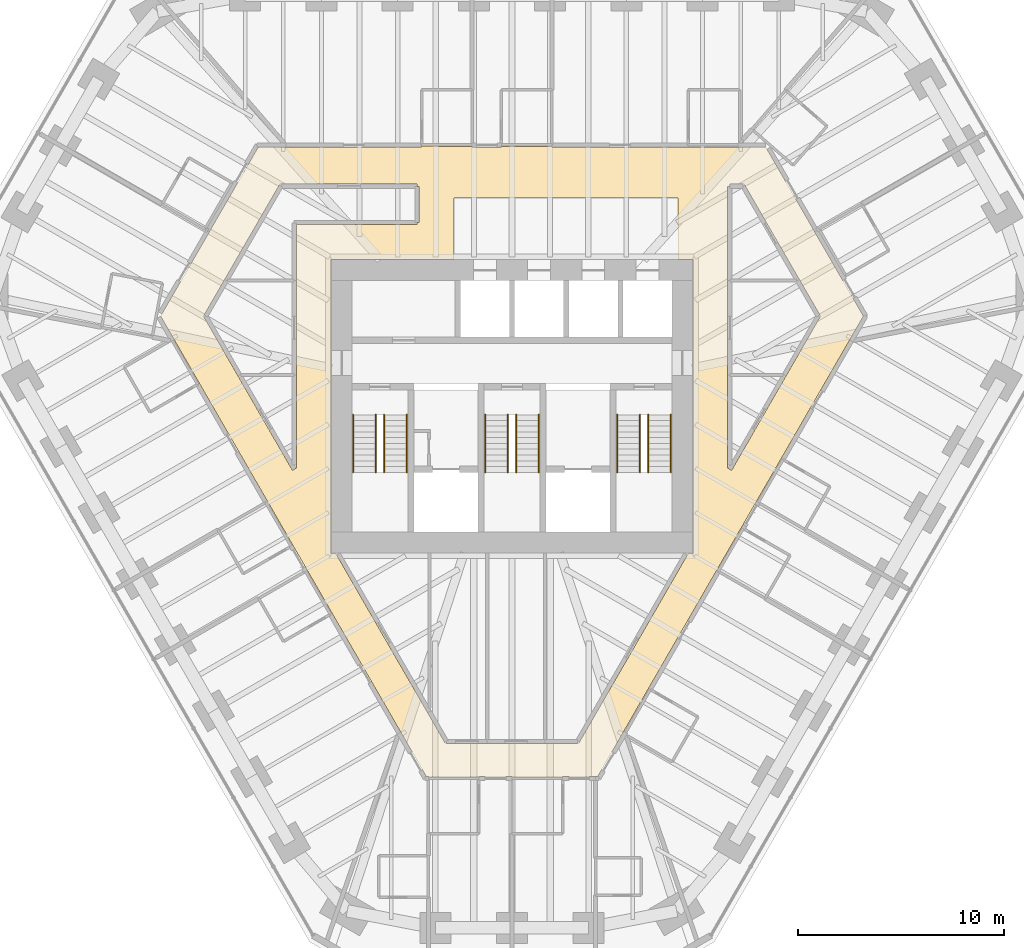
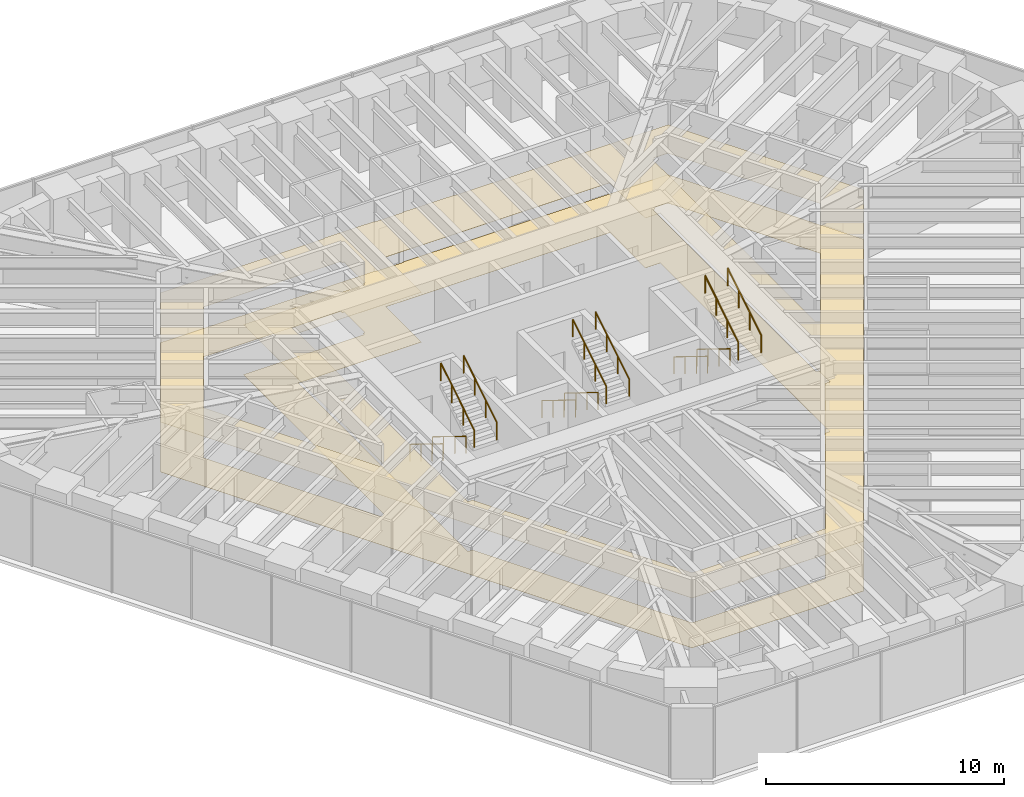
# One storey, part 16 of 16: 12 railings, 2 coverings.
"""IFC4 building model written with IfcOpenShell, lengths in metres."""

from ifc_helpers import new_model, si_unit, direction, frame, origin, origin_2d, place, context, subcontext, project, spatial, polyline, circle, outline, extrude, material, layer, layer_set, type_object, element, save


model = new_model("IFC4")

# Units and contexts
model_context = context("Model", 3, precision=1e-05, world=origin(), true_north=direction((0.0, 1.0)))
body_context = subcontext(model_context, "Body", "Model", "MODEL_VIEW")
ifc_project = project(units=[si_unit("LENGTHUNIT", "METRE"), si_unit("AREAUNIT", "SQUARE_METRE"), si_unit("VOLUMEUNIT", "CUBIC_METRE"), si_unit("PLANEANGLEUNIT", "RADIAN"), si_unit("MASSUNIT", "GRAM", prefix="KILO")], contexts=[model_context])

# Site, building, storey
site_placement = place(None, origin())
site = spatial("IfcSite", under=ifc_project, at=site_placement, CompositionType="ELEMENT")
building_placement = place(site_placement, origin())
building = spatial("IfcBuilding", under=site, at=building_placement, Name="Sandreach Pilgrim Tower", CompositionType="ELEMENT")
storey_placement = place(building_placement, frame((0.0, 0.0, 187.0)))
storey = spatial("IfcBuildingStorey", under=building, at=storey_placement, Name="L46", CompositionType="ELEMENT", Elevation=187.0)

# Coverings
ifc_material_1 = material(Name="Nylon carpet tile on the slab", Category="textile")
ifc_layer_1 = layer(ifc_material_1, 0.008056640625)
ifc_layer_set_1 = layer_set([ifc_layer_1], Name="Carpet tile")
covering_type_1 = type_object("IfcCoveringType", Name="Carpet tile", PredefinedType="FLOORING", material=ifc_layer_set_1)
covering_1_placement = place(storey_placement, origin())
element("IfcCovering", 1, at=covering_1_placement, inside=storey, type_object=covering_type_1, Name="Floor finish 46C Corridor 46", PredefinedType="FLOORING", context=body_context, shape_type="SweptSolid", body=[
    extrude(outline(polyline([(-17.0244140625, 4.369873046875), (-12.292236328125, 12.56005859375), (-4.3798828125, 12.56005859375), (-4.3798828125, 12.60009765625), (-1.929931640625, 12.59423828125), (-1.929931640625, 12.56005859375), (-0.52001953125, 12.56005859375), (-0.52001953125, 12.5908203125), (1.929931640625, 12.5849609375), (1.929931640625, 12.56005859375), (12.292236328125, 12.56005859375), (17.0244140625, 4.369873046875), (4.15234375, -17.929931640625), (2.449951171875, -17.929931640625), (2.449951171875, -17.969970703125), (0.0, -17.955078125), (0.0, -17.929931640625), (-1.60009765625, -17.929931640625), (-1.60009765625, -17.945556640625), (-4.15234375, -17.929931640625), (-17.0244140625, 4.369873046875)]), holes=[polyline([(10.449951171875, 10.659912109375), (10.449951171875, -2.9921875), (10.63671875, -3.10009765625), (14.945556640625, 4.370361328125), (11.247802734375, 10.760009765625), (10.56005859375, 10.760009765625), (10.56005859375, 10.66015625), (10.449951171875, 10.659912109375)]), polyline([(-3.227783203125, -16.330078125), (3.227783203125, -16.330078125), (8.542724609375, -7.1201171875), (8.77001953125, -7.1201171875), (8.77001953125, 7.1201171875), (8.050048828125, 7.1201171875), (8.050048828125, 10.10009765625), (-2.800048828125, 10.10009765625), (-2.800048828125, 7.1201171875), (-8.77001953125, 7.1201171875), (-8.77001953125, -7.1201171875), (-8.542724609375, -7.1201171875), (-3.227783203125, -16.330078125)]), polyline([(-14.945556640625, 4.370361328125), (-10.636474609375, -3.10009765625), (-10.449951171875, -2.9921875), (-10.449951171875, 8.800048828125), (-4.60009765625, 8.800048828125), (-4.60009765625, 8.909912109375), (-4.5, 8.909912109375), (-4.5, 10.64990234375), (-4.60009765625, 10.64990234375), (-4.60009765625, 10.760009765625), (-11.247802734375, 10.760009765625), (-14.945556640625, 4.370361328125)])]), origin(), (0.0, 0.0, 1.0), 0.008056640625),
])
ifc_material_2 = material(Name="Gypsum board suspended ceiling on a steel grid", Category="steel")
ifc_layer_2 = layer(ifc_material_2, 0.012939453125)
ifc_layer_set_2 = layer_set([ifc_layer_2], Name="Gypsum board suspended ceiling")
covering_type_2 = type_object("IfcCoveringType", Name="Gypsum board suspended ceiling", PredefinedType="CEILING", material=ifc_layer_set_2)
covering_2_placement = place(storey_placement, frame((0.0, 0.0, 2.550048828125)))
element("IfcCovering", 2, at=covering_2_placement, inside=storey, type_object=covering_type_2, Name="Ceiling 46C Corridor 46", PredefinedType="CEILING", context=body_context, shape_type="SweptSolid", body=[
    extrude(outline(polyline([(-17.0244140625, 4.369873046875), (-12.292236328125, 12.56005859375), (-4.3798828125, 12.56005859375), (-4.3798828125, 12.60009765625), (-1.929931640625, 12.59423828125), (-1.929931640625, 12.56005859375), (-0.52001953125, 12.56005859375), (-0.52001953125, 12.5908203125), (1.929931640625, 12.5849609375), (1.929931640625, 12.56005859375), (12.292236328125, 12.56005859375), (17.0244140625, 4.369873046875), (4.15234375, -17.929931640625), (2.449951171875, -17.929931640625), (2.449951171875, -17.969970703125), (0.0, -17.955078125), (0.0, -17.929931640625), (-1.60009765625, -17.929931640625), (-1.60009765625, -17.945556640625), (-4.15234375, -17.929931640625), (-17.0244140625, 4.369873046875)]), holes=[polyline([(10.449951171875, 10.659912109375), (10.449951171875, -2.9921875), (10.63671875, -3.10009765625), (14.945556640625, 4.370361328125), (11.247802734375, 10.760009765625), (10.56005859375, 10.760009765625), (10.56005859375, 10.66015625), (10.449951171875, 10.659912109375)]), polyline([(-3.227783203125, -16.330078125), (3.227783203125, -16.330078125), (8.542724609375, -7.1201171875), (8.77001953125, -7.1201171875), (8.77001953125, 7.1201171875), (8.050048828125, 7.1201171875), (8.050048828125, 10.10009765625), (-2.800048828125, 10.10009765625), (-2.800048828125, 7.1201171875), (-8.77001953125, 7.1201171875), (-8.77001953125, -7.1201171875), (-8.542724609375, -7.1201171875), (-3.227783203125, -16.330078125)]), polyline([(-14.945556640625, 4.370361328125), (-10.636474609375, -3.10009765625), (-10.449951171875, -2.9921875), (-10.449951171875, 8.800048828125), (-4.60009765625, 8.800048828125), (-4.60009765625, 8.909912109375), (-4.5, 8.909912109375), (-4.5, 10.64990234375), (-4.60009765625, 10.64990234375), (-4.60009765625, 10.760009765625), (-11.247802734375, 10.760009765625), (-14.945556640625, 4.370361328125)])]), origin(), (0.0, 0.0, 1.0), 0.012939453125),
])

# Railings
ifc_material_3 = material(Name="Stainless steel tube", Category="steel")
railing_type = type_object("IfcRailingType", Name="Stair handrail", PredefinedType="HANDRAIL", material=ifc_material_3)
for number, where, name in (
    (3, (-6.60009765625, -0.39990234375, 0.172607421875), "Handrail ST1 L46 flight 1"),
    (4, (-7.699951171875, -0.39990234375, 0.172607421875), "Handrail ST1 L46 flight 1"),
):
    element("IfcRailing", number, at=place(storey_placement, frame(where)), inside=storey, type_object=railing_type, Name=name, PredefinedType="HANDRAIL", context=body_context, shape_type="SweptSolid", body=[
        extrude(circle(Radius=0.02392578125, at=origin_2d()), frame((0.0, 0.0, 0.8759765625), z_axis=(0.0, -0.851089632645, 0.525020415988), x_axis=(1.0, 0.0, 0.0)), (0.0, 0.0, 1.0), 3.2900390625),
        extrude(circle(Radius=0.02099609375, at=origin_2d()), origin(), (0.0, 0.0, 1.0), 0.851806640625),
        extrude(circle(Radius=0.02099609375, at=origin_2d()), frame((0.0, -0.933349609375, 0.57568359375)), (0.0, 0.0, 1.0), 0.851806640625),
        extrude(circle(Radius=0.02099609375, at=origin_2d()), frame((0.0, -1.86669921875, 1.151611328125)), (0.0, 0.0, 1.0), 0.851806640625),
        extrude(circle(Radius=0.02099609375, at=origin_2d()), frame((0.0, -2.800048828125, 1.727294921875)), (0.0, 0.0, 1.0), 0.851806640625),
    ])
for number, where, name in (
    (5, (-6.199951171875, -3.199951171875, 2.07275390625), "Handrail ST1 L46 flight 2"),
    (6, (-5.10009765625, -3.199951171875, 2.07275390625), "Handrail ST1 L46 flight 2"),
):
    element("IfcRailing", number, at=place(storey_placement, frame(where)), inside=storey, type_object=railing_type, Name=name, PredefinedType="HANDRAIL", context=body_context, shape_type="SweptSolid", body=[
        extrude(circle(Radius=0.02392578125, at=origin_2d()), frame((0.0, 0.0, 0.8759765625), z_axis=(0.0, 0.851089632645, 0.525020415988), x_axis=(-1.0, 0.0, 0.0)), (0.0, 0.0, 1.0), 3.2900390625),
        extrude(circle(Radius=0.02099609375, at=origin_2d()), origin(), (0.0, 0.0, 1.0), 0.851806640625),
        extrude(circle(Radius=0.02099609375, at=origin_2d()), frame((0.0, 0.933349609375, 0.57568359375)), (0.0, 0.0, 1.0), 0.851806640625),
        extrude(circle(Radius=0.02099609375, at=origin_2d()), frame((0.0, 1.86669921875, 1.151611328125)), (0.0, 0.0, 1.0), 0.851806640625),
        extrude(circle(Radius=0.02099609375, at=origin_2d()), frame((0.0, 2.800048828125, 1.727294921875)), (0.0, 0.0, 1.0), 0.851806640625),
    ])
for number, where, name in (
    (7, (-0.199951171875, -0.39990234375, 0.172607421875), "Handrail ST3 L46 flight 1"),
    (8, (-1.300048828125, -0.39990234375, 0.172607421875), "Handrail ST3 L46 flight 1"),
):
    element("IfcRailing", number, at=place(storey_placement, frame(where)), inside=storey, type_object=railing_type, Name=name, PredefinedType="HANDRAIL", context=body_context, shape_type="SweptSolid", body=[
        extrude(circle(Radius=0.02392578125, at=origin_2d()), frame((0.0, 0.0, 0.8759765625), z_axis=(0.0, -0.851089632645, 0.525020415988), x_axis=(1.0, 0.0, 0.0)), (0.0, 0.0, 1.0), 3.2900390625),
        extrude(circle(Radius=0.02099609375, at=origin_2d()), origin(), (0.0, 0.0, 1.0), 0.851806640625),
        extrude(circle(Radius=0.02099609375, at=origin_2d()), frame((0.0, -0.933349609375, 0.57568359375)), (0.0, 0.0, 1.0), 0.851806640625),
        extrude(circle(Radius=0.02099609375, at=origin_2d()), frame((0.0, -1.86669921875, 1.151611328125)), (0.0, 0.0, 1.0), 0.851806640625),
        extrude(circle(Radius=0.02099609375, at=origin_2d()), frame((0.0, -2.800048828125, 1.727294921875)), (0.0, 0.0, 1.0), 0.851806640625),
    ])
for number, where, name in (
    (9, (0.199951171875, -3.199951171875, 2.07275390625), "Handrail ST3 L46 flight 2"),
    (10, (1.300048828125, -3.199951171875, 2.07275390625), "Handrail ST3 L46 flight 2"),
):
    element("IfcRailing", number, at=place(storey_placement, frame(where)), inside=storey, type_object=railing_type, Name=name, PredefinedType="HANDRAIL", context=body_context, shape_type="SweptSolid", body=[
        extrude(circle(Radius=0.02392578125, at=origin_2d()), frame((0.0, 0.0, 0.8759765625), z_axis=(0.0, 0.851089632645, 0.525020415988), x_axis=(-1.0, 0.0, 0.0)), (0.0, 0.0, 1.0), 3.2900390625),
        extrude(circle(Radius=0.02099609375, at=origin_2d()), origin(), (0.0, 0.0, 1.0), 0.851806640625),
        extrude(circle(Radius=0.02099609375, at=origin_2d()), frame((0.0, 0.933349609375, 0.57568359375)), (0.0, 0.0, 1.0), 0.851806640625),
        extrude(circle(Radius=0.02099609375, at=origin_2d()), frame((0.0, 1.86669921875, 1.151611328125)), (0.0, 0.0, 1.0), 0.851806640625),
        extrude(circle(Radius=0.02099609375, at=origin_2d()), frame((0.0, 2.800048828125, 1.727294921875)), (0.0, 0.0, 1.0), 0.851806640625),
    ])
for number, where, name in (
    (11, (6.199951171875, -0.39990234375, 0.172607421875), "Handrail ST2 L46 flight 1"),
    (12, (5.10009765625, -0.39990234375, 0.172607421875), "Handrail ST2 L46 flight 1"),
):
    element("IfcRailing", number, at=place(storey_placement, frame(where)), inside=storey, type_object=railing_type, Name=name, PredefinedType="HANDRAIL", context=body_context, shape_type="SweptSolid", body=[
        extrude(circle(Radius=0.02392578125, at=origin_2d()), frame((0.0, 0.0, 0.8759765625), z_axis=(0.0, -0.851089632645, 0.525020415988), x_axis=(1.0, 0.0, 0.0)), (0.0, 0.0, 1.0), 3.2900390625),
        extrude(circle(Radius=0.02099609375, at=origin_2d()), origin(), (0.0, 0.0, 1.0), 0.851806640625),
        extrude(circle(Radius=0.02099609375, at=origin_2d()), frame((0.0, -0.933349609375, 0.57568359375)), (0.0, 0.0, 1.0), 0.851806640625),
        extrude(circle(Radius=0.02099609375, at=origin_2d()), frame((0.0, -1.86669921875, 1.151611328125)), (0.0, 0.0, 1.0), 0.851806640625),
        extrude(circle(Radius=0.02099609375, at=origin_2d()), frame((0.0, -2.800048828125, 1.727294921875)), (0.0, 0.0, 1.0), 0.851806640625),
    ])
for number, where, name in (
    (13, (6.60009765625, -3.199951171875, 2.07275390625), "Handrail ST2 L46 flight 2"),
    (14, (7.699951171875, -3.199951171875, 2.07275390625), "Handrail ST2 L46 flight 2"),
):
    element("IfcRailing", number, at=place(storey_placement, frame(where)), inside=storey, type_object=railing_type, Name=name, PredefinedType="HANDRAIL", context=body_context, shape_type="SweptSolid", body=[
        extrude(circle(Radius=0.02392578125, at=origin_2d()), frame((0.0, 0.0, 0.8759765625), z_axis=(0.0, 0.851089632645, 0.525020415988), x_axis=(-1.0, 0.0, 0.0)), (0.0, 0.0, 1.0), 3.2900390625),
        extrude(circle(Radius=0.02099609375, at=origin_2d()), origin(), (0.0, 0.0, 1.0), 0.851806640625),
        extrude(circle(Radius=0.02099609375, at=origin_2d()), frame((0.0, 0.933349609375, 0.57568359375)), (0.0, 0.0, 1.0), 0.851806640625),
        extrude(circle(Radius=0.02099609375, at=origin_2d()), frame((0.0, 1.86669921875, 1.151611328125)), (0.0, 0.0, 1.0), 0.851806640625),
        extrude(circle(Radius=0.02099609375, at=origin_2d()), frame((0.0, 2.800048828125, 1.727294921875)), (0.0, 0.0, 1.0), 0.851806640625),
    ])

save(model, "model.ifc")
